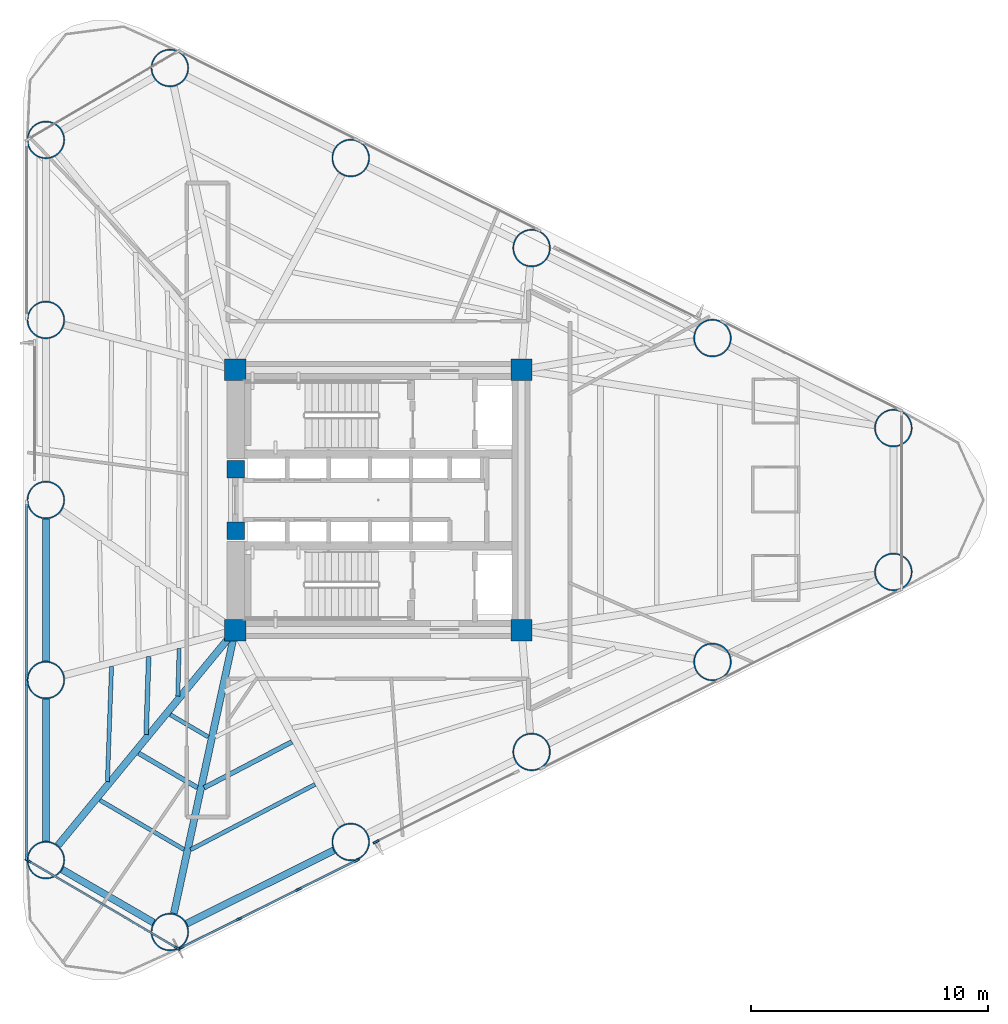
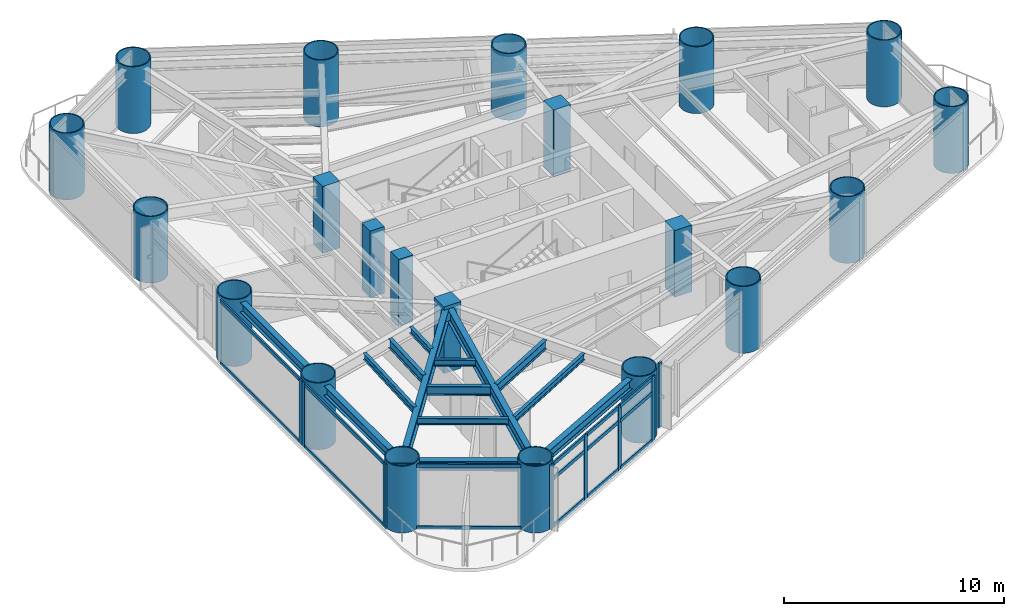
# One storey, part 1 of 10: 25 members, 21 columns, 14 beams, 5 elements without a shape of their own.
"""IFC4 building model written with IfcOpenShell, lengths in metres."""

from ifc_helpers import new_model, si_unit, direction, frame, origin, origin_2d, place, context, subcontext, project, spatial, rectangle, hollow_circle, i_section, extrude, source, transform, mapped, material, layer, layer_set, material_profile, profile_set, type_object, element, aggregate, save


model = new_model("IFC4")

# Units and contexts
model_context = context("Model", 3, precision=1e-05, world=origin(), true_north=direction((0.0, 1.0)))
body_context = subcontext(model_context, "Body", "Model", "MODEL_VIEW")
ifc_project = project(units=[si_unit("LENGTHUNIT", "METRE"), si_unit("AREAUNIT", "SQUARE_METRE"), si_unit("VOLUMEUNIT", "CUBIC_METRE"), si_unit("PLANEANGLEUNIT", "RADIAN"), si_unit("MASSUNIT", "GRAM", prefix="KILO")], contexts=[model_context])

# Site, building, storey
site_placement = place(None, origin())
site = spatial("IfcSite", under=ifc_project, at=site_placement, CompositionType="ELEMENT")
building_placement = place(site_placement, origin())
building = spatial("IfcBuilding", under=site, at=building_placement, Name="Yunling Apex Tower", CompositionType="ELEMENT")
storey_placement = place(building_placement, frame((0.0, 0.0, 31.199951171875)))
storey = spatial("IfcBuildingStorey", under=building, at=storey_placement, Name="L09", CompositionType="ELEMENT", Elevation=31.199951171875)

# Columns
ifc_material_1 = material(Name="Concrete C60", Category="concrete")
ifc_material_profile_1 = material_profile(ifc_material_1, rectangle(XDim=0.89990234375, YDim=0.89990234375, at=origin_2d()))
ifc_profile_set_1 = profile_set([ifc_material_profile_1], Name="Concrete C60")
column_type_1 = type_object("IfcColumnType", Name="PC-SRC-3", PredefinedType="COLUMN", material=ifc_profile_set_1)
shared_shape_1 = source(origin(), body_context, "Body", "SweptSolid", [
    extrude(rectangle(XDim=0.89990234375, YDim=0.89990234375, at=origin_2d()), origin(), (0.0, 0.0, 1.0), 3.699951171875),
])
for number, where, z_axis, x_axis, name in (
    (1, (-6.050048828125, -5.5, 0.0), (0.0, 0.0, 1.0), (1.0, 0.0, 0.0), "L09 Core Spine Column CC-SW"),
    (2, (6.050048828125, -5.5, 0.0), (0.0, 0.0, 1.0), (1.0, 0.0, 0.0), "L09 Core Spine Column CC-SE"),
    (3, (6.050048828125, 5.5, 0.0), (0.0, 0.0, 1.0), (1.0, 0.0, 0.0), "L09 Core Spine Column CC-NE"),
    (4, (-6.050048828125, 5.5, 0.0), (0.0, 0.0, 1.0), (1.0, 0.0, 0.0), "L09 Core Spine Column CC-NW"),
):
    element("IfcColumn", number, at=place(storey_placement, frame(where, z_axis=z_axis, x_axis=x_axis)), inside=storey, type_object=column_type_1, Name=name, PredefinedType="COLUMN", context=body_context, shape_type="MappedRepresentation", body=[
        mapped(shared_shape_1, transform((0.0, 0.0, 0.0), scale=1.0)),
    ])
ifc_material_2 = material(Name="Concrete C50", Category="concrete")
ifc_material_profile_2 = material_profile(ifc_material_2, rectangle(XDim=0.75, YDim=0.75, at=origin_2d()))
ifc_profile_set_2 = profile_set([ifc_material_profile_2], Name="Concrete C50")
column_type_2 = type_object("IfcColumnType", Name="PC-SRC-4", PredefinedType="COLUMN", material=ifc_profile_set_2)
shared_shape_2 = source(origin(), body_context, "Body", "SweptSolid", [
    extrude(rectangle(XDim=0.75, YDim=0.75, at=origin_2d()), origin(), (0.0, 0.0, 1.0), 3.699951171875),
])
for number, where, z_axis, x_axis, name in (
    (5, (-6.02490234375, -1.300048828125, 0.0), (0.0, 0.0, 1.0), (1.0, 0.0, 0.0), "L09 Core West Portal Jamb Column S"),
    (6, (-6.02490234375, 1.300048828125, 0.0), (0.0, 0.0, 1.0), (1.0, 0.0, 0.0), "L09 Core West Portal Jamb Column N"),
):
    element("IfcColumn", number, at=place(storey_placement, frame(where, z_axis=z_axis, x_axis=x_axis)), inside=storey, type_object=column_type_2, Name=name, PredefinedType="COLUMN", context=body_context, shape_type="MappedRepresentation", body=[
        mapped(shared_shape_2, transform((0.0, 0.0, 0.0), scale=1.0)),
    ])
ifc_material_3 = material(Name="Steel Q390GJC", Category="steel")
ifc_material_profile_3 = material_profile(ifc_material_3, hollow_circle(Radius=0.800048828125, WallThickness=0.054931640625, at=origin_2d()))
ifc_profile_set_3 = profile_set([ifc_material_profile_3], Name="Steel Q390GJC")
column_type_3 = type_object("IfcColumnType", Name="MC-CFST-1", PredefinedType="COLUMN", material=ifc_profile_set_3)
shared_shape_3 = source(origin(), body_context, "Body", "SweptSolid", [
    extrude(hollow_circle(Radius=0.800048828125, WallThickness=0.054931640625, at=origin_2d()), origin(), (0.0, 0.0, 1.0), 3.699951171875),
])
for number, where, z_axis, x_axis, name in (
    (7, (-8.8115234375, -18.2578125, 0.0), (0.0, 0.0, 1.0), (1.0, 0.0, 0.0), "L09 Perimeter CFST Mega-Column P01"),
    (8, (-1.1669921875, -14.453125, 0.0), (0.0, 0.0, 1.0), (1.0, 0.0, 0.0), "L09 Perimeter CFST Mega-Column P02"),
    (9, (6.477294921875, -10.648193359375, 0.0), (0.0, 0.0, 1.0), (1.0, 0.0, 0.0), "L09 Perimeter CFST Mega-Column P03"),
    (10, (14.121826171875, -6.843505859375, 0.0), (0.0, 0.0, 1.0), (1.0, 0.0, 0.0), "L09 Perimeter CFST Mega-Column P04"),
    (11, (21.76611328125, -3.038818359375, 0.0), (0.0, 0.0, 1.0), (1.0, 0.0, 0.0), "L09 Perimeter CFST Mega-Column P05"),
    (12, (21.76611328125, 3.038818359375, 0.0), (0.0, 0.0, 1.0), (1.0, 0.0, 0.0), "L09 Perimeter CFST Mega-Column P06"),
    (13, (14.121826171875, 6.843505859375, 0.0), (0.0, 0.0, 1.0), (1.0, 0.0, 0.0), "L09 Perimeter CFST Mega-Column P07"),
    (14, (6.477294921875, 10.648193359375, 0.0), (0.0, 0.0, 1.0), (1.0, 0.0, 0.0), "L09 Perimeter CFST Mega-Column P08"),
    (15, (-1.1669921875, 14.453125, 0.0), (0.0, 0.0, 1.0), (1.0, 0.0, 0.0), "L09 Perimeter CFST Mega-Column P09"),
    (16, (-8.8115234375, 18.2578125, 0.0), (0.0, 0.0, 1.0), (1.0, 0.0, 0.0), "L09 Perimeter CFST Mega-Column P10"),
    (17, (-14.052001953125, 15.218994140625, 0.0), (0.0, 0.0, 1.0), (1.0, 0.0, 0.0), "L09 Perimeter CFST Mega-Column P11"),
    (18, (-14.052001953125, 7.609619140625, 0.0), (0.0, 0.0, 1.0), (1.0, 0.0, 0.0), "L09 Perimeter CFST Mega-Column P12"),
    (19, (-14.052001953125, 0.0, 0.0), (0.0, 0.0, 1.0), (1.0, 0.0, 0.0), "L09 Perimeter CFST Mega-Column P13"),
    (20, (-14.052001953125, -7.609619140625, 0.0), (0.0, 0.0, 1.0), (1.0, 0.0, 0.0), "L09 Perimeter CFST Mega-Column P14"),
    (21, (-14.052001953125, -15.218994140625, 0.0), (0.0, 0.0, 1.0), (1.0, 0.0, 0.0), "L09 Perimeter CFST Mega-Column P15"),
):
    element("IfcColumn", number, at=place(storey_placement, frame(where, z_axis=z_axis, x_axis=x_axis)), inside=storey, type_object=column_type_3, Name=name, PredefinedType="COLUMN", context=body_context, shape_type="MappedRepresentation", body=[
        mapped(shared_shape_3, transform((0.0, 0.0, 0.0), scale=1.0)),
    ])

# Beams
ifc_material_4 = material(Name="Steel Q355B", Category="steel")
ifc_material_profile_4 = material_profile(ifc_material_4, i_section(OverallWidth=0.300048828125, OverallDepth=0.5400390625, WebThickness=0.011962890625, FlangeThickness=0.02001953125, FilletRadius=0.02392578125, at=origin_2d()))
ifc_profile_set_4 = profile_set([ifc_material_profile_4], Name="Steel Q355B")
beam_type_1 = type_object("IfcBeamType", Name="BP-SPN-1", PredefinedType="SPANDREL", material=ifc_profile_set_4)
shared_shape_4 = source(origin(), body_context, "Body", "SweptSolid", [
    extrude(i_section(OverallWidth=0.300048828125, OverallDepth=0.5400390625, WebThickness=0.011962890625, FlangeThickness=0.02001953125, FilletRadius=0.02392578125, at=origin_2d()), origin(), (0.0, 0.0, 1.0), 6.950927734375),
])
beam_1_placement = place(storey_placement, frame((-8.1005859375, -17.904052734375, 3.2451171875), z_axis=(0.89524058306, 0.445583099368, 0.0), x_axis=(-0.445583099368, 0.89524058306, 0.0)))
element("IfcBeam", 22, at=beam_1_placement, inside=storey, type_object=beam_type_1, Name="L09 Perimeter Spandrel Beam 1", PredefinedType="SPANDREL", context=body_context, shape_type="MappedRepresentation", body=[
    mapped(shared_shape_4, transform((0.0, 0.0, 0.0), scale=1.0)),
])
shared_shape_5 = source(origin(), body_context, "Body", "SweptSolid", [
    extrude(i_section(OverallWidth=0.300048828125, OverallDepth=0.5400390625, WebThickness=0.011962890625, FlangeThickness=0.02001953125, FilletRadius=0.02392578125, at=origin_2d()), origin(), (0.0, 0.0, 1.0), 4.469970703125),
])
beam_2_placement = place(storey_placement, frame((-13.364990234375, -15.6171875, 3.2451171875), z_axis=(0.865055841155, -0.501675584102, 0.0), x_axis=(0.501675584102, 0.865055841155, 0.0)))
element("IfcBeam", 23, at=beam_2_placement, inside=storey, type_object=beam_type_1, Name="L09 Perimeter Spandrel Beam 15", PredefinedType="SPANDREL", context=body_context, shape_type="MappedRepresentation", body=[
    mapped(shared_shape_5, transform((0.0, 0.0, 0.0), scale=1.0)),
])
shared_shape_6 = source(origin(), body_context, "Body", "SweptSolid", [
    extrude(i_section(OverallWidth=0.300048828125, OverallDepth=0.5400390625, WebThickness=0.011962890625, FlangeThickness=0.02001953125, FilletRadius=0.02392578125, at=origin_2d()), origin(), (0.0, 0.0, 1.0), 6.021240234375),
])
beam_3_placement = place(storey_placement, frame((-14.052001953125, -8.403564453125, 3.2451171875), z_axis=(0.0, -1.0, 0.0), x_axis=(1.0, 0.0, 0.0)))
element("IfcBeam", 24, at=beam_3_placement, inside=storey, type_object=beam_type_1, Name="L09 Perimeter Spandrel Beam 14", PredefinedType="SPANDREL", context=body_context, shape_type="MappedRepresentation", body=[
    mapped(shared_shape_6, transform((0.0, 0.0, 0.0), scale=1.0)),
])
shared_shape_7 = source(origin(), body_context, "Body", "SweptSolid", [
    extrude(i_section(OverallWidth=0.300048828125, OverallDepth=0.5400390625, WebThickness=0.011962890625, FlangeThickness=0.02001953125, FilletRadius=0.02392578125, at=origin_2d()), origin(), (0.0, 0.0, 1.0), 6.021484375),
])
beam_4_placement = place(storey_placement, frame((-14.052001953125, -0.7939453125, 3.2451171875), z_axis=(0.0, -1.0, 0.0), x_axis=(1.0, 0.0, 0.0)))
element("IfcBeam", 25, at=beam_4_placement, inside=storey, type_object=beam_type_1, Name="L09 Perimeter Spandrel Beam 13", PredefinedType="SPANDREL", context=body_context, shape_type="MappedRepresentation", body=[
    mapped(shared_shape_7, transform((0.0, 0.0, 0.0), scale=1.0)),
])
ifc_material_profile_5 = material_profile(ifc_material_4, i_section(OverallWidth=0.300048828125, OverallDepth=0.699951171875, WebThickness=0.012939453125, FlangeThickness=0.02392578125, FilletRadius=0.02587890625, at=origin_2d()))
ifc_profile_set_5 = profile_set([ifc_material_profile_5], Name="Steel Q355B")
beam_type_2 = type_object("IfcBeamType", Name="BG-PRI-3", PredefinedType="USERDEFINED", material=ifc_profile_set_5)
shared_shape_8 = source(origin(), body_context, "Body", "SweptSolid", [
    extrude(i_section(OverallWidth=0.300048828125, OverallDepth=0.699951171875, WebThickness=0.012939453125, FlangeThickness=0.02392578125, FilletRadius=0.02587890625, at=origin_2d()), origin(), (0.0, 0.0, 1.0), 12.165283203125),
])
beam_5_placement = place(storey_placement, frame((-8.640625, -17.468017578125, 3.1650390625), z_axis=(0.2115638914, 0.977364169517, 0.0), x_axis=(-0.977364169517, 0.2115638914, 0.0)))
element("IfcBeam", 26, at=beam_5_placement, inside=storey, type_object=beam_type_2, Name="L09 Radial Primary Girder R01", ObjectType="GIRDER", PredefinedType="USERDEFINED", context=body_context, shape_type="MappedRepresentation", body=[
    mapped(shared_shape_8, transform((0.0, 0.0, 0.0), scale=1.0)),
])
shared_shape_9 = source(origin(), body_context, "Body", "SweptSolid", [
    extrude(i_section(OverallWidth=0.300048828125, OverallDepth=0.699951171875, WebThickness=0.012939453125, FlangeThickness=0.02392578125, FilletRadius=0.02587890625, at=origin_2d()), origin(), (0.0, 0.0, 1.0), 11.701171875),
])
beam_6_placement = place(storey_placement, frame((-13.538330078125, -14.59521484375, 3.1650390625), z_axis=(0.635615100524, 0.772006116547, 0.0), x_axis=(-0.772006116547, 0.635615100524, 0.0)))
element("IfcBeam", 27, at=beam_6_placement, inside=storey, type_object=beam_type_2, Name="L09 Radial Primary Girder R15", ObjectType="GIRDER", PredefinedType="USERDEFINED", context=body_context, shape_type="MappedRepresentation", body=[
    mapped(shared_shape_9, transform((0.0, 0.0, 0.0), scale=1.0)),
])
ifc_material_profile_6 = material_profile(ifc_material_4, i_section(OverallWidth=0.199951171875, OverallDepth=0.5, WebThickness=0.010009765625, FlangeThickness=0.01611328125, FilletRadius=0.02001953125, at=origin_2d()))
ifc_profile_set_6 = profile_set([ifc_material_profile_6], Name="Steel Q355B")
beam_type_3 = type_object("IfcBeamType", Name="BS-SEC-2", PredefinedType="BEAM", material=ifc_profile_set_6)
shared_shape_10 = source(origin(), body_context, "Body", "SweptSolid", [
    extrude(i_section(OverallWidth=0.199951171875, OverallDepth=0.5, WebThickness=0.010009765625, FlangeThickness=0.01611328125, FilletRadius=0.02001953125, at=origin_2d()), origin(), (0.0, 0.0, 1.0), 4.186279296875),
])
beam_7_placement = place(storey_placement, frame((-7.366455078125, -12.162353515625, 3.26513671875), z_axis=(0.886028927656, 0.463629959512, 0.0), x_axis=(-0.463629959512, 0.886028927656, 0.0)))
element("IfcBeam", 28, at=beam_7_placement, inside=storey, type_object=beam_type_3, Name="L09 Composite Floor Beam BS-1", PredefinedType="BEAM", context=body_context, shape_type="MappedRepresentation", body=[
    mapped(shared_shape_10, transform((0.0, 0.0, 0.0), scale=1.0)),
])
ifc_material_profile_7 = material_profile(ifc_material_4, i_section(OverallWidth=0.175048828125, OverallDepth=0.35009765625, WebThickness=0.007080078125, FlangeThickness=0.010986328125, FilletRadius=0.013916015625, at=origin_2d()))
ifc_profile_set_7 = profile_set([ifc_material_profile_7], Name="Steel Q355B")
beam_type_4 = type_object("IfcBeamType", Name="BJ-JST-1", PredefinedType="JOIST", material=ifc_profile_set_7)
shared_shape_11 = source(origin(), body_context, "Body", "SweptSolid", [
    extrude(i_section(OverallWidth=0.175048828125, OverallDepth=0.35009765625, WebThickness=0.007080078125, FlangeThickness=0.010986328125, FilletRadius=0.013916015625, at=origin_2d()), origin(), (0.0, 0.0, 1.0), 5.935791015625),
])
beam_8_placement = place(storey_placement, frame((-7.9326171875, -14.778076171875, 3.340087890625), z_axis=(0.885494794786, 0.464649296144, 0.0), x_axis=(-0.464649296144, 0.885494794786, 0.0)))
element("IfcBeam", 29, at=beam_8_placement, inside=storey, type_object=beam_type_4, Name="L09 Composite Floor Joist BJ1-1", PredefinedType="JOIST", context=body_context, shape_type="MappedRepresentation", body=[
    mapped(shared_shape_11, transform((0.0, 0.0, 0.0), scale=1.0)),
])
shared_shape_12 = source(origin(), body_context, "Body", "SweptSolid", [
    extrude(i_section(OverallWidth=0.199951171875, OverallDepth=0.5, WebThickness=0.010009765625, FlangeThickness=0.01611328125, FilletRadius=0.02001953125, at=origin_2d()), origin(), (0.0, 0.0, 1.0), 3.29833984375),
])
beam_9_placement = place(storey_placement, frame((-9.704345703125, -6.621826171875, 3.26513671875), z_axis=(-0.033307436794, -0.9994451534, 0.0), x_axis=(0.9994451534, -0.033307436794, 0.0)))
element("IfcBeam", 30, at=beam_9_placement, inside=storey, type_object=beam_type_3, Name="L09 Composite Floor Beam BS-14", PredefinedType="BEAM", context=body_context, shape_type="MappedRepresentation", body=[
    mapped(shared_shape_12, transform((0.0, 0.0, 0.0), scale=1.0)),
])
shared_shape_13 = source(origin(), body_context, "Body", "SweptSolid", [
    extrude(i_section(OverallWidth=0.175048828125, OverallDepth=0.35009765625, WebThickness=0.007080078125, FlangeThickness=0.010986328125, FilletRadius=0.013916015625, at=origin_2d()), origin(), (0.0, 0.0, 1.0), 4.873046875),
])
beam_10_placement = place(storey_placement, frame((-11.2763671875, -7.0361328125, 3.340087890625), z_axis=(-0.035671873065, -0.999363556206, 0.0), x_axis=(0.999363556206, -0.035671873065, 0.0)))
element("IfcBeam", 31, at=beam_10_placement, inside=storey, type_object=beam_type_4, Name="L09 Composite Floor Joist BJ1-14", PredefinedType="JOIST", context=body_context, shape_type="MappedRepresentation", body=[
    mapped(shared_shape_13, transform((0.0, 0.0, 0.0), scale=1.0)),
])
shared_shape_14 = source(origin(), body_context, "Body", "SweptSolid", [
    extrude(i_section(OverallWidth=0.175048828125, OverallDepth=0.35009765625, WebThickness=0.007080078125, FlangeThickness=0.010986328125, FilletRadius=0.013916015625, at=origin_2d()), origin(), (0.0, 0.0, 1.0), 2.01025390625),
])
beam_11_placement = place(storey_placement, frame((-8.41796875, -6.282958984375, 3.340087890625), z_axis=(-0.029024336113, -0.999578705212, 0.0), x_axis=(0.999578705212, -0.029024336113, 0.0)))
element("IfcBeam", 32, at=beam_11_placement, inside=storey, type_object=beam_type_4, Name="L09 Composite Floor Joist BJ3-14", PredefinedType="JOIST", context=body_context, shape_type="MappedRepresentation", body=[
    mapped(shared_shape_14, transform((0.0, 0.0, 0.0), scale=1.0)),
])
shared_shape_15 = source(origin(), body_context, "Body", "SweptSolid", [
    extrude(i_section(OverallWidth=0.199951171875, OverallDepth=0.5, WebThickness=0.010009765625, FlangeThickness=0.01611328125, FilletRadius=0.02001953125, at=origin_2d()), origin(), (0.0, 0.0, 1.0), 2.876220703125),
])
beam_12_placement = place(storey_placement, frame((-10.127685546875, -10.701416015625, 3.26513671875), z_axis=(0.862779689624, -0.505580069992, 0.0), x_axis=(0.505580069992, 0.862779689624, 0.0)))
element("IfcBeam", 33, at=beam_12_placement, inside=storey, type_object=beam_type_3, Name="L09 Composite Floor Beam BS-15", PredefinedType="BEAM", context=body_context, shape_type="MappedRepresentation", body=[
    mapped(shared_shape_15, transform((0.0, 0.0, 0.0), scale=1.0)),
])
shared_shape_16 = source(origin(), body_context, "Body", "SweptSolid", [
    extrude(i_section(OverallWidth=0.175048828125, OverallDepth=0.35009765625, WebThickness=0.007080078125, FlangeThickness=0.010986328125, FilletRadius=0.013916015625, at=origin_2d()), origin(), (0.0, 0.0, 1.0), 4.117431640625),
])
beam_13_placement = place(storey_placement, frame((-11.76416015625, -12.688720703125, 3.340087890625), z_axis=(0.86262392079, -0.505845797928, 0.0), x_axis=(0.505845797928, 0.86262392079, 0.0)))
element("IfcBeam", 34, at=beam_13_placement, inside=storey, type_object=beam_type_4, Name="L09 Composite Floor Joist BJ1-15", PredefinedType="JOIST", context=body_context, shape_type="MappedRepresentation", body=[
    mapped(shared_shape_16, transform((0.0, 0.0, 0.0), scale=1.0)),
])
shared_shape_17 = source(origin(), body_context, "Body", "SweptSolid", [
    extrude(i_section(OverallWidth=0.175048828125, OverallDepth=0.35009765625, WebThickness=0.007080078125, FlangeThickness=0.010986328125, FilletRadius=0.013916015625, at=origin_2d()), origin(), (0.0, 0.0, 1.0), 1.86083984375),
])
beam_14_placement = place(storey_placement, frame((-8.7890625, -9.0751953125, 3.340087890625), z_axis=(0.862987962162, -0.505224481953, 0.0), x_axis=(0.505224481953, 0.862987962162, 0.0)))
element("IfcBeam", 35, at=beam_14_placement, inside=storey, type_object=beam_type_4, Name="L09 Composite Floor Joist BJ3-15", PredefinedType="JOIST", context=body_context, shape_type="MappedRepresentation", body=[
    mapped(shared_shape_17, transform((0.0, 0.0, 0.0), scale=1.0)),
])

# Curtain wall, members
ifc_material_5 = material(Name="Bronze anodised aluminium", Category="aluminium")
ifc_layer = layer(ifc_material_5, 0.260009765625)
ifc_layer_set = layer_set([ifc_layer], Name="Bronze anodised aluminium")
curtain_wall_type = type_object("IfcCurtainWallType", Name="CW-SYS-2", PredefinedType="NOTDEFINED", material=ifc_layer_set)
curtain_wall_1_placement = place(storey_placement, origin())
curtain_wall_1 = element("IfcCurtainWall", 36, at=curtain_wall_1_placement, inside=storey, type_object=curtain_wall_type, Name="CW-L09-F1-B1", PredefinedType="NOTDEFINED")
ifc_material_profile_8 = material_profile(ifc_material_5, rectangle(XDim=0.0849609375, YDim=0.260009765625, at=origin_2d()))
ifc_profile_set_8 = profile_set([ifc_material_profile_8], Name="Bronze anodised aluminium")
member_type_1 = type_object("IfcMemberType", Name="CW-MUL-2", PredefinedType="MULLION", material=ifc_profile_set_8)
shared_shape_18 = source(origin(), body_context, "Body", "SweptSolid", [
    extrude(rectangle(XDim=0.0849609375, YDim=0.260009765625, at=origin_2d()), origin(), (0.0, 0.0, 1.0), 3.614990234375),
])
member_1_placement = place(storey_placement, frame((-8.341064453125, -18.928466796875, -0.050048828125), z_axis=(0.0, 0.0, 1.0), x_axis=(-0.445570625003, 0.895246791748, 0.0)))
member_1 = element("IfcMember", 37, at=member_1_placement, type_object=member_type_1, Name="CW-SYS-2 mullion 1", PredefinedType="MULLION", context=body_context, shape_type="MappedRepresentation", body=[
    mapped(shared_shape_18, transform((0.0, 0.0, 0.0), scale=1.0)),
])
member_2_placement = place(storey_placement, frame((-5.878662109375, -17.702880859375, -0.050048828125), z_axis=(0.0, 0.0, 1.0), x_axis=(-0.445570625003, 0.895246791748, 0.0)))
member_2 = element("IfcMember", 38, at=member_2_placement, type_object=member_type_1, Name="CW-SYS-2 mullion 2", PredefinedType="MULLION", context=body_context, shape_type="MappedRepresentation", body=[
    mapped(shared_shape_18, transform((0.0, 0.0, 0.0), scale=1.0)),
])
member_3_placement = place(storey_placement, frame((-3.378173828125, -16.458251953125, -0.050048828125), z_axis=(0.0, 0.0, 1.0), x_axis=(-0.445570625003, 0.895246791748, 0.0)))
member_3 = element("IfcMember", 39, at=member_3_placement, type_object=member_type_1, Name="CW-SYS-2 mullion 3", PredefinedType="MULLION", context=body_context, shape_type="MappedRepresentation", body=[
    mapped(shared_shape_18, transform((0.0, 0.0, 0.0), scale=1.0)),
])
member_4_placement = place(storey_placement, frame((-0.915771484375, -15.23291015625, -0.050048828125), z_axis=(0.0, 0.0, 1.0), x_axis=(-0.445570625003, 0.895246791748, 0.0)))
member_4 = element("IfcMember", 40, at=member_4_placement, type_object=member_type_1, Name="CW-SYS-2 mullion 4", PredefinedType="MULLION", context=body_context, shape_type="MappedRepresentation", body=[
    mapped(shared_shape_18, transform((0.0, 0.0, 0.0), scale=1.0)),
])

# Curtain wall, member
curtain_wall_2_placement = place(storey_placement, origin())
curtain_wall_2 = element("IfcCurtainWall", 41, at=curtain_wall_2_placement, inside=storey, type_object=curtain_wall_type, Name="CW-L09-F1-B2", PredefinedType="NOTDEFINED")
member_5_placement = place(storey_placement, frame((-0.095947265625, -14.445068359375, -0.050048828125), z_axis=(0.0, 0.0, 1.0), x_axis=(-0.445582781121, 0.895240741459, 0.0)))
member_5 = element("IfcMember", 42, at=member_5_placement, type_object=member_type_1, Name="CW-SYS-2 mullion 1", PredefinedType="MULLION", context=body_context, shape_type="MappedRepresentation", body=[
    mapped(shared_shape_18, transform((0.0, 0.0, 0.0), scale=1.0)),
])
aggregate(curtain_wall_2, [member_5])

curtain_wall_3_placement = place(storey_placement, origin())
curtain_wall_3 = element("IfcCurtainWall", 43, at=curtain_wall_3_placement, inside=storey, type_object=curtain_wall_type, Name="CW-L09-F3-B3", PredefinedType="NOTDEFINED")
member_6_placement = place(storey_placement, frame((-14.862060546875, -7.487060546875, -0.050048828125), z_axis=(0.0, 0.0, 1.0), x_axis=(1.0, 0.0, 0.0)))
member_6 = element("IfcMember", 44, at=member_6_placement, type_object=member_type_1, Name="CW-SYS-2 mullion 2", PredefinedType="MULLION", context=body_context, shape_type="MappedRepresentation", body=[
    mapped(shared_shape_18, transform((0.0, 0.0, 0.0), scale=1.0)),
])

# Curtain wall, members
curtain_wall_4_placement = place(storey_placement, origin())
curtain_wall_4 = element("IfcCurtainWall", 45, at=curtain_wall_4_placement, inside=storey, type_object=curtain_wall_type, Name="CW-L09-F3-B4", PredefinedType="NOTDEFINED")
member_7_placement = place(storey_placement, frame((-14.862060546875, -7.73193359375, -0.050048828125), z_axis=(0.0, 0.0, 1.0), x_axis=(1.0, 0.0, 0.0)))
member_7 = element("IfcMember", 46, at=member_7_placement, type_object=member_type_1, Name="CW-SYS-2 mullion 1", PredefinedType="MULLION", context=body_context, shape_type="MappedRepresentation", body=[
    mapped(shared_shape_18, transform((0.0, 0.0, 0.0), scale=1.0)),
])
member_8_placement = place(storey_placement, frame((-14.862060546875, -15.096435546875, -0.050048828125), z_axis=(0.0, 0.0, 1.0), x_axis=(1.0, 0.0, 0.0)))
member_8 = element("IfcMember", 47, at=member_8_placement, type_object=member_type_1, Name="CW-SYS-2 mullion 2", PredefinedType="MULLION", context=body_context, shape_type="MappedRepresentation", body=[
    mapped(shared_shape_18, transform((0.0, 0.0, 0.0), scale=1.0)),
])

curtain_wall_5_placement = place(storey_placement, origin())
curtain_wall_5 = element("IfcCurtainWall", 48, at=curtain_wall_5_placement, inside=storey, type_object=curtain_wall_type, Name="CW-L09-CRN3", PredefinedType="NOTDEFINED")
member_9_placement = place(storey_placement, frame((-14.805419921875, -15.240478515625, -0.050048828125), z_axis=(0.0, 0.0, 1.0), x_axis=(0.506195543811, 0.86241873323, 0.0)))
member_9 = element("IfcMember", 49, at=member_9_placement, type_object=member_type_1, Name="CW-SYS-2 mullion 1", PredefinedType="MULLION", context=body_context, shape_type="MappedRepresentation", body=[
    mapped(shared_shape_18, transform((0.0, 0.0, 0.0), scale=1.0)),
])
member_10_placement = place(storey_placement, frame((-8.49609375, -18.943603515625, -0.050048828125), z_axis=(0.0, 0.0, 1.0), x_axis=(0.506195543811, 0.86241873323, 0.0)))
member_10 = element("IfcMember", 50, at=member_10_placement, type_object=member_type_1, Name="CW-SYS-2 mullion 2", PredefinedType="MULLION", context=body_context, shape_type="MappedRepresentation", body=[
    mapped(shared_shape_18, transform((0.0, 0.0, 0.0), scale=1.0)),
])

# Member
ifc_material_profile_9 = material_profile(ifc_material_5, rectangle(XDim=0.0849609375, YDim=0.199951171875, at=origin_2d()))
ifc_profile_set_9 = profile_set([ifc_material_profile_9], Name="Bronze anodised aluminium")
member_type_2 = type_object("IfcMemberType", Name="CW-TRN-2", PredefinedType="USERDEFINED", material=ifc_profile_set_9)
shared_shape_19 = source(origin(), body_context, "Body", "SweptSolid", [
    extrude(rectangle(XDim=0.0849609375, YDim=0.199951171875, at=origin_2d()), origin(), (0.0, 0.0, 1.0), 2.673828125),
])
member_11_placement = place(storey_placement, frame((-8.306640625, -18.911376953125, 0.04248046875), z_axis=(0.895247427801, 0.445569347034, 0.0), x_axis=(-0.445569347034, 0.895247427801, 0.0)))
member_11 = element("IfcMember", 51, at=member_11_placement, type_object=member_type_2, Name="CW-SYS-2 transom 1.1", ObjectType="TRANSOM", PredefinedType="USERDEFINED", context=body_context, shape_type="MappedRepresentation", body=[
    mapped(shared_shape_19, transform((0.0, 0.0, 0.0), scale=1.0)),
])

member_12_placement = place(storey_placement, frame((-8.306640625, -18.911376953125, 2.67138671875), z_axis=(0.895247427801, 0.445569347034, 0.0), x_axis=(-0.445569347034, 0.895247427801, 0.0)))
member_12 = element("IfcMember", 52, at=member_12_placement, type_object=member_type_2, Name="CW-SYS-2 transom 1.2", ObjectType="TRANSOM", PredefinedType="USERDEFINED", context=body_context, shape_type="MappedRepresentation", body=[
    mapped(shared_shape_19, transform((0.0, 0.0, 0.0), scale=1.0)),
])

member_13_placement = place(storey_placement, frame((-8.306640625, -18.911376953125, 3.47265625), z_axis=(0.895247427801, 0.445569347034, 0.0), x_axis=(-0.445569347034, 0.895247427801, 0.0)))
member_13 = element("IfcMember", 53, at=member_13_placement, type_object=member_type_2, Name="CW-SYS-2 transom 1.3", ObjectType="TRANSOM", PredefinedType="USERDEFINED", context=body_context, shape_type="MappedRepresentation", body=[
    mapped(shared_shape_19, transform((0.0, 0.0, 0.0), scale=1.0)),
])

member_14_placement = place(storey_placement, frame((-3.343994140625, -16.44140625, 0.04248046875), z_axis=(0.895247427801, 0.445569347034, 0.0), x_axis=(-0.445569347034, 0.895247427801, 0.0)))
member_14 = element("IfcMember", 54, at=member_14_placement, type_object=member_type_2, Name="CW-SYS-2 transom 3.1", ObjectType="TRANSOM", PredefinedType="USERDEFINED", context=body_context, shape_type="MappedRepresentation", body=[
    mapped(shared_shape_19, transform((0.0, 0.0, 0.0), scale=1.0)),
])

member_15_placement = place(storey_placement, frame((-3.343994140625, -16.44140625, 2.67138671875), z_axis=(0.895247427801, 0.445569347034, 0.0), x_axis=(-0.445569347034, 0.895247427801, 0.0)))
member_15 = element("IfcMember", 55, at=member_15_placement, type_object=member_type_2, Name="CW-SYS-2 transom 3.2", ObjectType="TRANSOM", PredefinedType="USERDEFINED", context=body_context, shape_type="MappedRepresentation", body=[
    mapped(shared_shape_19, transform((0.0, 0.0, 0.0), scale=1.0)),
])

member_16_placement = place(storey_placement, frame((-3.343994140625, -16.44140625, 3.47265625), z_axis=(0.895247427801, 0.445569347034, 0.0), x_axis=(-0.445569347034, 0.895247427801, 0.0)))
member_16 = element("IfcMember", 56, at=member_16_placement, type_object=member_type_2, Name="CW-SYS-2 transom 3.3", ObjectType="TRANSOM", PredefinedType="USERDEFINED", context=body_context, shape_type="MappedRepresentation", body=[
    mapped(shared_shape_19, transform((0.0, 0.0, 0.0), scale=1.0)),
])

shared_shape_20 = source(origin(), body_context, "Body", "SweptSolid", [
    extrude(rectangle(XDim=0.0849609375, YDim=0.199951171875, at=origin_2d()), origin(), (0.0, 0.0, 1.0), 2.716552734375),
])
member_17_placement = place(storey_placement, frame((-5.84423828125, -17.685791015625, 0.04248046875), z_axis=(0.895234593731, 0.445595132589, 0.0), x_axis=(-0.445595132589, 0.895234593731, 0.0)))
member_17 = element("IfcMember", 57, at=member_17_placement, type_object=member_type_2, Name="CW-SYS-2 transom 2.1", ObjectType="TRANSOM", PredefinedType="USERDEFINED", context=body_context, shape_type="MappedRepresentation", body=[
    mapped(shared_shape_20, transform((0.0, 0.0, 0.0), scale=1.0)),
])

member_18_placement = place(storey_placement, frame((-5.84423828125, -17.685791015625, 2.67138671875), z_axis=(0.895234593731, 0.445595132589, 0.0), x_axis=(-0.445595132589, 0.895234593731, 0.0)))
member_18 = element("IfcMember", 58, at=member_18_placement, type_object=member_type_2, Name="CW-SYS-2 transom 2.2", ObjectType="TRANSOM", PredefinedType="USERDEFINED", context=body_context, shape_type="MappedRepresentation", body=[
    mapped(shared_shape_20, transform((0.0, 0.0, 0.0), scale=1.0)),
])

member_19_placement = place(storey_placement, frame((-5.84423828125, -17.685791015625, 3.47265625), z_axis=(0.895234593731, 0.445595132589, 0.0), x_axis=(-0.445595132589, 0.895234593731, 0.0)))
member_19 = element("IfcMember", 59, at=member_19_placement, type_object=member_type_2, Name="CW-SYS-2 transom 2.3", ObjectType="TRANSOM", PredefinedType="USERDEFINED", context=body_context, shape_type="MappedRepresentation", body=[
    mapped(shared_shape_20, transform((0.0, 0.0, 0.0), scale=1.0)),
])

aggregate(curtain_wall_1, [member_1, member_2, member_3, member_4, member_11, member_12, member_13, member_17, member_18, member_19, member_14, member_15, member_16])

shared_shape_21 = source(origin(), body_context, "Body", "SweptSolid", [
    extrude(rectangle(XDim=0.0849609375, YDim=0.199951171875, at=origin_2d()), origin(), (0.0, 0.0, 1.0), 7.239501953125),
])
member_20_placement = place(storey_placement, frame((-14.7724609375, -15.259765625, 0.04248046875), z_axis=(0.862419304353, -0.506194570772, 0.0), x_axis=(0.506194570772, 0.862419304353, 0.0)))
member_20 = element("IfcMember", 60, at=member_20_placement, type_object=member_type_2, Name="CW-SYS-2 transom 1.1", ObjectType="TRANSOM", PredefinedType="USERDEFINED", context=body_context, shape_type="MappedRepresentation", body=[
    mapped(shared_shape_21, transform((0.0, 0.0, 0.0), scale=1.0)),
])

member_21_placement = place(storey_placement, frame((-14.7724609375, -15.259765625, 3.47265625), z_axis=(0.862419304353, -0.506194570772, 0.0), x_axis=(0.506194570772, 0.862419304353, 0.0)))
member_21 = element("IfcMember", 61, at=member_21_placement, type_object=member_type_2, Name="CW-SYS-2 transom 1.2", ObjectType="TRANSOM", PredefinedType="USERDEFINED", context=body_context, shape_type="MappedRepresentation", body=[
    mapped(shared_shape_21, transform((0.0, 0.0, 0.0), scale=1.0)),
])

aggregate(curtain_wall_5, [member_9, member_10, member_20, member_21])

shared_shape_22 = source(origin(), body_context, "Body", "SweptSolid", [
    extrude(rectangle(XDim=0.0849609375, YDim=0.199951171875, at=origin_2d()), origin(), (0.0, 0.0, 1.0), 7.287841796875),
])
member_22_placement = place(storey_placement, frame((-14.862060546875, -7.770263671875, 0.04248046875), z_axis=(0.0, -1.0, 0.0), x_axis=(1.0, 0.0, 0.0)))
member_22 = element("IfcMember", 62, at=member_22_placement, type_object=member_type_2, Name="CW-SYS-2 transom 1.1", ObjectType="TRANSOM", PredefinedType="USERDEFINED", context=body_context, shape_type="MappedRepresentation", body=[
    mapped(shared_shape_22, transform((0.0, 0.0, 0.0), scale=1.0)),
])

member_23_placement = place(storey_placement, frame((-14.862060546875, -7.770263671875, 3.47265625), z_axis=(0.0, -1.0, 0.0), x_axis=(1.0, 0.0, 0.0)))
member_23 = element("IfcMember", 63, at=member_23_placement, type_object=member_type_2, Name="CW-SYS-2 transom 1.2", ObjectType="TRANSOM", PredefinedType="USERDEFINED", context=body_context, shape_type="MappedRepresentation", body=[
    mapped(shared_shape_22, transform((0.0, 0.0, 0.0), scale=1.0)),
])

aggregate(curtain_wall_4, [member_7, member_8, member_22, member_23])

shared_shape_23 = source(origin(), body_context, "Body", "SweptSolid", [
    extrude(rectangle(XDim=0.0849609375, YDim=0.199951171875, at=origin_2d()), origin(), (0.0, 0.0, 1.0), 7.2880859375),
])
member_24_placement = place(storey_placement, frame((-14.862060546875, -0.16064453125, 0.04248046875), z_axis=(0.0, -1.0, 0.0), x_axis=(1.0, 0.0, 0.0)))
member_24 = element("IfcMember", 64, at=member_24_placement, type_object=member_type_2, Name="CW-SYS-2 transom 1.1", ObjectType="TRANSOM", PredefinedType="USERDEFINED", context=body_context, shape_type="MappedRepresentation", body=[
    mapped(shared_shape_23, transform((0.0, 0.0, 0.0), scale=1.0)),
])

member_25_placement = place(storey_placement, frame((-14.862060546875, -0.16064453125, 3.47265625), z_axis=(0.0, -1.0, 0.0), x_axis=(1.0, 0.0, 0.0)))
member_25 = element("IfcMember", 65, at=member_25_placement, type_object=member_type_2, Name="CW-SYS-2 transom 1.2", ObjectType="TRANSOM", PredefinedType="USERDEFINED", context=body_context, shape_type="MappedRepresentation", body=[
    mapped(shared_shape_23, transform((0.0, 0.0, 0.0), scale=1.0)),
])

aggregate(curtain_wall_3, [member_6, member_24, member_25])

save(model, "model.ifc")
